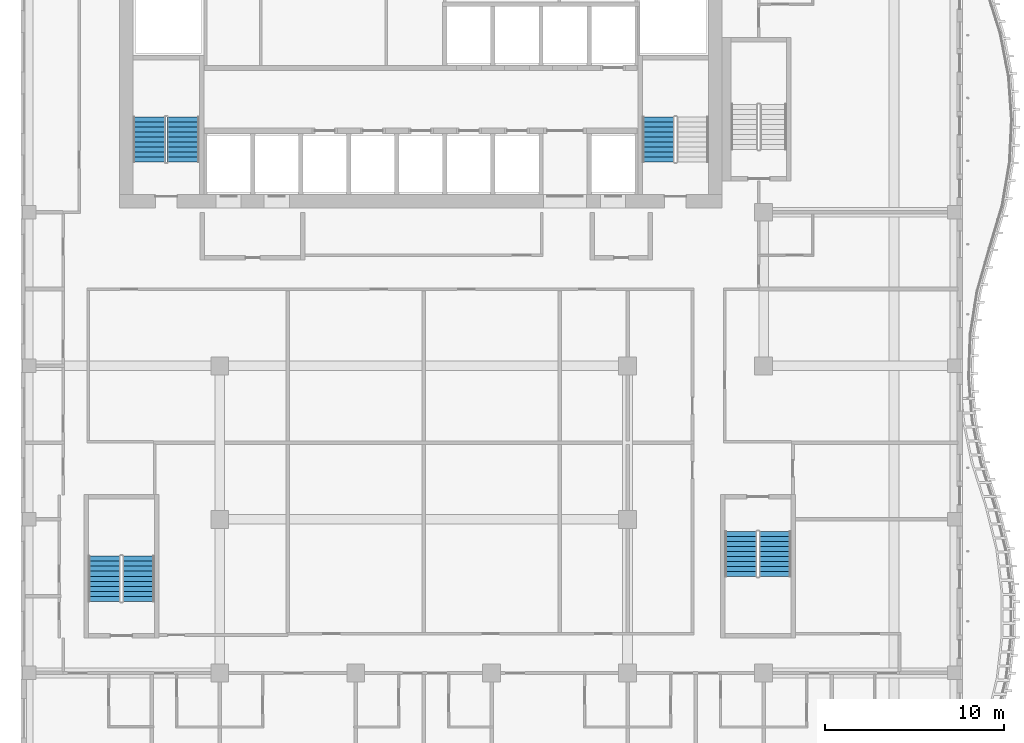
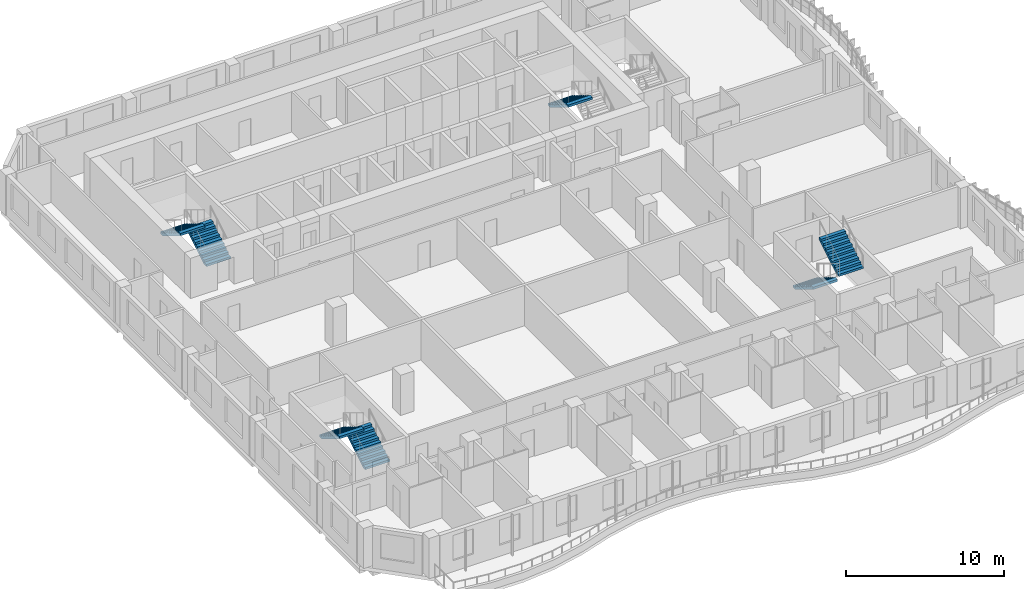
# One storey, part 11 of 21: 7 stair flights, 4 elements without a shape of their own.
"""IFC4 building model written with IfcOpenShell, lengths in metres."""

import ifcopenshell
import ifcopenshell.guid

model = None  # the IFC model being written
_history = None  # IfcOwnerHistory: only IFC2X3 demands one
_inside = {}  # id of a spatial element -> (the spatial element, [elements in it])
_under = {}  # id of a project, library or spatial element -> (it, [spatial elements below it])
_declared = {}  # id of a project -> (the project, [libraries it declares])
_typed = {}  # id of a type object -> (the type object, [elements of that type])
_made_of = {}  # id of a material, layer set ... -> (it, [elements and type objects made of it])


def new_model(schema):
    """Start an empty IFC model of exactly this schema.

    Asked for "IFC4X3", IfcOpenShell would pick the latest addendum, in which some entities
    have other attributes; the version numbers below select the first issue.
    IFC2X3 requires an IfcOwnerHistory on every rooted entity: one is made here for all.
    """
    global model, _history
    if schema == "IFC4X3":
        model = ifcopenshell.file(schema_version=(4, 3, 0, 0))
    else:
        model = ifcopenshell.file(schema=schema)
    _inside.clear()
    _under.clear()
    _declared.clear()
    _typed.clear()
    _made_of.clear()
    _history = None
    if model.schema == "IFC2X3":
        org = make("IfcOrganization", Name="unknown")
        user = make(
            "IfcPersonAndOrganization",
            ThePerson=make("IfcPerson", FamilyName="unknown"),
            TheOrganization=org,
        )
        app = make(
            "IfcApplication",
            ApplicationDeveloper=org,
            Version="unknown",
            ApplicationFullName="unknown",
            ApplicationIdentifier="unknown",
        )
        _history = make(
            "IfcOwnerHistory",
            OwningUser=user,
            OwningApplication=app,
            ChangeAction="ADDED",
            CreationDate=0,
        )
    return model


def make(cls, **values):
    """One entity of the class cls with the attributes given. An attribute that is None is left unset."""
    return model.create_entity(
        cls, **{name: value for name, value in values.items() if value is not None}
    )


def rooted(cls, **values):
    """An entity with a GlobalId (a new one), such as an element, a storey or a relation."""
    return make(cls, GlobalId=ifcopenshell.guid.new(), OwnerHistory=_history, **values)


def si_unit(unit_type, name, prefix=None):
    """IfcSIUnit, for example si_unit("LENGTHUNIT", "METRE", prefix="MILLI")."""
    return make("IfcSIUnit", UnitType=unit_type, Prefix=prefix, Name=name)


def assignment(units):
    """IfcUnitAssignment: the units of a project."""
    return None if units is None else make("IfcUnitAssignment", Units=units)


def point(xyz):
    """IfcCartesianPoint."""
    return None if xyz is None else make("IfcCartesianPoint", Coordinates=xyz)


def direction(xyz):
    """IfcDirection."""
    return None if xyz is None else make("IfcDirection", DirectionRatios=xyz)


def frame(location, z_axis=None, x_axis=None):
    """IfcAxis2Placement3D, a coordinate frame: its origin and axes. An axis left out is left unset."""
    return make(
        "IfcAxis2Placement3D",
        Location=point(location),
        Axis=direction(z_axis),
        RefDirection=direction(x_axis),
    )


def origin():
    """The frame at (0, 0, 0) with its axes left unset."""
    return frame((0.0, 0.0, 0.0))


def place(relative_to, where):
    """IfcLocalPlacement: puts the frame where relative to a parent placement (None: the world)."""
    return make(
        "IfcLocalPlacement", PlacementRelTo=relative_to, RelativePlacement=where
    )


def context(
    kind, dimensions, precision=None, world=None, true_north=None, identifier=None
):
    """IfcGeometricRepresentationContext, for example the 3D "Model" context."""
    return make(
        "IfcGeometricRepresentationContext",
        ContextIdentifier=identifier,
        ContextType=kind,
        CoordinateSpaceDimension=dimensions,
        Precision=precision,
        WorldCoordinateSystem=world,
        TrueNorth=true_north,
    )


def subcontext(parent, identifier, kind, view, scale=None):
    """IfcGeometricRepresentationSubContext, for example "Body" below "Model"."""
    return make(
        "IfcGeometricRepresentationSubContext",
        ContextIdentifier=identifier,
        ContextType=kind,
        ParentContext=parent,
        TargetScale=scale,
        TargetView=view,
    )


def project(units=None, contexts=None):
    """IfcProject with its units and contexts."""
    return rooted(
        "IfcProject",
        Name="project",
        RepresentationContexts=contexts,
        UnitsInContext=assignment(units),
    )


def spatial(cls, under=None, at=None, **own):
    """A site, building, storey or space (cls), placed at a placement, below another one or the project."""
    s = rooted(cls, ObjectPlacement=at, **own)
    if under is not None:
        _under.setdefault(under.id(), (under, []))[1].append(s)
    return s


def point_list(points):
    """IfcCartesianPointList2D or 3D."""
    cls = (
        "IfcCartesianPointList2D" if len(points[0]) == 2 else "IfcCartesianPointList3D"
    )
    return make(cls, CoordList=points)


def triangles(points, corners, closed=None, point_numbers=None):
    """IfcTriangulatedFaceSet: each triangle names its three corners, points numbered from 1."""
    return make(
        "IfcTriangulatedFaceSet",
        Coordinates=point_list(points),
        Closed=closed,
        CoordIndex=corners,
        PnIndex=point_numbers,
    )


def shape(context_of_items, identifier, shape_type, items):
    """IfcShapeRepresentation: the items that make up one representation, for example the "Body"."""
    return make(
        "IfcShapeRepresentation",
        ContextOfItems=context_of_items,
        RepresentationIdentifier=identifier,
        RepresentationType=shape_type,
        Items=items,
    )


def source(mapping_origin, context_of_items, identifier, shape_type, items):
    """IfcRepresentationMap: a shape defined once, which mapped items show again and again."""
    return make(
        "IfcRepresentationMap",
        MappingOrigin=mapping_origin,
        MappedRepresentation=shape(context_of_items, identifier, shape_type, items),
    )


def transform(
    local_origin,
    x_axis=None,
    y_axis=None,
    z_axis=None,
    scale=None,
    scale2=None,
    scale3=None,
    uniform=True,
):
    """IfcCartesianTransformationOperator3D, or its non-uniform kind. x_axis, y_axis, z_axis: its Axis1, 2, 3."""
    if uniform:
        return make(
            "IfcCartesianTransformationOperator3D",
            Axis1=direction(x_axis),
            Axis2=direction(y_axis),
            LocalOrigin=point(local_origin),
            Scale=scale,
            Axis3=direction(z_axis),
        )
    return make(
        "IfcCartesianTransformationOperator3DnonUniform",
        Axis1=direction(x_axis),
        Axis2=direction(y_axis),
        LocalOrigin=point(local_origin),
        Scale=scale,
        Axis3=direction(z_axis),
        Scale2=scale2,
        Scale3=scale3,
    )


def mapped(mapping_source, mapping_target):
    """IfcMappedItem: shows the shape of a source again, moved by a transform."""
    return make(
        "IfcMappedItem", MappingSource=mapping_source, MappingTarget=mapping_target
    )


def material(Name=None, Category=None):
    """IfcMaterial."""
    return make("IfcMaterial", Name=Name, Category=Category)


def made_of(thing, what):
    """Note that an element or type object is made of a material, layer set ...; save() writes the relation."""
    if what is not None:
        _made_of.setdefault(what.id(), (what, []))[1].append(thing)
    return thing


def type_object(cls, material=None, **own):
    """A type object (cls), such as IfcWallType, which elements share."""
    return made_of(rooted(cls, **own), material)


def element(
    cls,
    number,
    at=None,
    inside=None,
    cuts=None,
    type_object=None,
    material=None,
    context=None,
    identifier="Body",
    shape_type=None,
    held_by="IfcProductDefinitionShape",
    body=None,
    shapes=None,
    **own,
):
    """One element of the class cls, such as IfcWall. Its Tag is "e" and its number.

    at: its placement. inside: the storey or other place that contains it. cuts: it is an
    opening in that element (IfcRelVoidsElement). A single representation is given by context,
    identifier, shape_type and body (its items); several are given by shapes. held_by: the class
    of the entity that holds the representations. save() writes the other relations.
    """
    e = rooted(cls, Tag="e%d" % number, ObjectPlacement=at, **own)
    if body is not None:
        shapes = [shape(context, identifier, shape_type, body)]
    if shapes is not None:
        e.Representation = make(held_by, Representations=shapes)
    if inside is not None:
        _inside.setdefault(inside.id(), (inside, []))[1].append(e)
    if cuts is not None:
        rooted(
            "IfcRelVoidsElement", RelatingBuildingElement=cuts, RelatedOpeningElement=e
        )
    if type_object is not None:
        _typed.setdefault(type_object.id(), (type_object, []))[1].append(e)
    return made_of(e, material)


def aggregate(whole, parts):
    """IfcRelAggregates: a whole, such as a stair, and the parts it consists of."""
    return rooted("IfcRelAggregates", RelatingObject=whole, RelatedObjects=parts)


def save(model, path):
    """Write the relations noted so far, then the file.

    IfcRelAggregates (storeys below a building ...), IfcRelContainedInSpatialStructure (elements
    in a storey), IfcRelDefinesByType, IfcRelAssociatesMaterial and IfcRelDeclares: one each for
    every whole, place, type object, material and project.
    """
    for whole, parts in _under.values():
        aggregate(whole, parts)
    for where, things in _inside.values():
        rooted(
            "IfcRelContainedInSpatialStructure",
            RelatedElements=things,
            RelatingStructure=where,
        )
    for kind, things in _typed.values():
        rooted("IfcRelDefinesByType", RelatedObjects=things, RelatingType=kind)
    for what, things in _made_of.values():
        rooted("IfcRelAssociatesMaterial", RelatedObjects=things, RelatingMaterial=what)
    for by, libraries in _declared.values():
        rooted("IfcRelDeclares", RelatingContext=by, RelatedDefinitions=libraries)
    model.write(path)


model = new_model("IFC4")

# Units and contexts
model_context = context("Model", 3, precision=1e-05, world=origin(), true_north=direction((0.0, 1.0)))
body_context = subcontext(model_context, "Body", "Model", "MODEL_VIEW")
ifc_project = project(units=[si_unit("LENGTHUNIT", "METRE"), si_unit("AREAUNIT", "SQUARE_METRE"), si_unit("VOLUMEUNIT", "CUBIC_METRE"), si_unit("PLANEANGLEUNIT", "RADIAN"), si_unit("MASSUNIT", "GRAM", prefix="KILO")], contexts=[model_context])

# Site, building, storey
site_placement = place(None, origin())
site = spatial("IfcSite", under=ifc_project, at=site_placement, CompositionType="ELEMENT")
building_placement = place(site_placement, origin())
building = spatial("IfcBuilding", under=site, at=building_placement, Name="Kilnfold Tower and Market Hall", CompositionType="ELEMENT")
storey_placement = place(building_placement, frame((0.0, 0.0, 216.89990234375)))
storey = spatial("IfcBuildingStorey", under=building, at=storey_placement, Name="L53", CompositionType="ELEMENT", Elevation=216.89990234375)

# Stair, stair flights
ifc_material_1 = material(Name="Concrete C40/50", Category="concrete")
stair_type = type_object("IfcStairType", Name="CORE STAIR 1800", PredefinedType="HALF_TURN_STAIR", material=ifc_material_1)
stair_1_placement = place(storey_placement, origin())
stair_1 = element("IfcStair", 1, at=stair_1_placement, inside=storey, type_object=stair_type, Name="L53 ST1", PredefinedType="HALF_TURN_STAIR")
ifc_material_2 = material(Name="Concrete C40/50", Category="concrete")
stair_flight_type = type_object("IfcStairFlightType", Name="CORE STAIR FLIGHT 1800", PredefinedType="STRAIGHT", material=ifc_material_2)
shared_shape = source(origin(), body_context, "Body", "Tessellation", [
    triangles([(0.0, 0.89990234375, 0.0), (0.0, 0.78759765625, 0.0), (0.0, 0.675048828125, 0.0), (0.0, 0.5625, 0.0), (0.0, 0.449951171875, 0.0), (0.0, 0.33740234375, 0.0), (0.0, 0.22509765625, 0.0), (0.0, 0.112548828125, 0.0), (0.0, 0.0, 0.0), (0.0, -0.112548828125, 0.0), (0.0, -0.22509765625, 0.0), (0.0, -0.33740234375, 0.0), (0.0, -0.449951171875, 0.0), (0.0, -0.5625, 0.0), (0.0, -0.675048828125, 0.0), (0.0, -0.78759765625, 0.0), (0.0, -0.89990234375, 0.0), (0.0, 0.89990234375, 0.169921875), (0.0, 0.78759765625, 0.169921875), (0.0, 0.675048828125, 0.169921875), (0.0, 0.5625, 0.169921875), (0.0, 0.449951171875, 0.169921875), (0.0, 0.33740234375, 0.169921875), (0.0, 0.22509765625, 0.169921875), (0.0, 0.112548828125, 0.169921875), (0.0, 0.0, 0.169921875), (0.0, -0.112548828125, 0.169921875), (0.0, -0.22509765625, 0.169921875), (0.0, -0.33740234375, 0.169921875), (0.0, -0.449951171875, 0.169921875), (0.0, -0.5625, 0.169921875), (0.0, -0.675048828125, 0.169921875), (0.0, -0.78759765625, 0.169921875), (0.0, -0.89990234375, 0.169921875), (0.280029296875, 0.89990234375, 0.169921875), (0.280029296875, 0.78759765625, 0.169921875), (0.280029296875, 0.675048828125, 0.169921875), (0.280029296875, 0.5625, 0.169921875), (0.280029296875, 0.449951171875, 0.169921875), (0.280029296875, 0.33740234375, 0.169921875), (0.280029296875, 0.22509765625, 0.169921875), (0.280029296875, 0.112548828125, 0.169921875), (0.280029296875, 0.0, 0.169921875), (0.280029296875, -0.112548828125, 0.169921875), (0.280029296875, -0.22509765625, 0.169921875), (0.280029296875, -0.33740234375, 0.169921875), (0.280029296875, -0.449951171875, 0.169921875), (0.280029296875, -0.5625, 0.169921875), (0.280029296875, -0.675048828125, 0.169921875), (0.280029296875, -0.78759765625, 0.169921875), (0.280029296875, -0.89990234375, 0.169921875), (0.280029296875, 0.89990234375, 0.340087890625), (0.280029296875, 0.78759765625, 0.340087890625), (0.280029296875, 0.675048828125, 0.340087890625), (0.280029296875, 0.5625, 0.340087890625), (0.280029296875, 0.449951171875, 0.340087890625), (0.280029296875, 0.33740234375, 0.340087890625), (0.280029296875, 0.22509765625, 0.340087890625), (0.280029296875, 0.112548828125, 0.340087890625), (0.280029296875, 0.0, 0.340087890625), (0.280029296875, -0.112548828125, 0.340087890625), (0.280029296875, -0.22509765625, 0.340087890625), (0.280029296875, -0.33740234375, 0.340087890625), (0.280029296875, -0.449951171875, 0.340087890625), (0.280029296875, -0.5625, 0.340087890625), (0.280029296875, -0.675048828125, 0.340087890625), (0.280029296875, -0.78759765625, 0.340087890625), (0.280029296875, -0.89990234375, 0.340087890625), (0.56005859375, 0.89990234375, 0.340087890625), (0.56005859375, 0.78759765625, 0.340087890625), (0.56005859375, 0.675048828125, 0.340087890625), (0.56005859375, 0.5625, 0.340087890625), (0.56005859375, 0.449951171875, 0.340087890625), (0.56005859375, 0.33740234375, 0.340087890625), (0.56005859375, 0.22509765625, 0.340087890625), (0.56005859375, 0.112548828125, 0.340087890625), (0.56005859375, 0.0, 0.340087890625), (0.56005859375, -0.112548828125, 0.340087890625), (0.56005859375, -0.22509765625, 0.340087890625), (0.56005859375, -0.33740234375, 0.340087890625), (0.56005859375, -0.449951171875, 0.340087890625), (0.56005859375, -0.5625, 0.340087890625), (0.56005859375, -0.675048828125, 0.340087890625), (0.56005859375, -0.78759765625, 0.340087890625), (0.56005859375, -0.89990234375, 0.340087890625), (0.56005859375, 0.89990234375, 0.510009765625), (0.56005859375, 0.78759765625, 0.510009765625), (0.56005859375, 0.675048828125, 0.510009765625), (0.56005859375, 0.5625, 0.510009765625), (0.56005859375, 0.449951171875, 0.510009765625), (0.56005859375, 0.33740234375, 0.510009765625), (0.56005859375, 0.22509765625, 0.510009765625), (0.56005859375, 0.112548828125, 0.510009765625), (0.56005859375, 0.0, 0.510009765625), (0.56005859375, -0.112548828125, 0.510009765625), (0.56005859375, -0.22509765625, 0.510009765625), (0.56005859375, -0.33740234375, 0.510009765625), (0.56005859375, -0.449951171875, 0.510009765625), (0.56005859375, -0.5625, 0.510009765625), (0.56005859375, -0.675048828125, 0.510009765625), (0.56005859375, -0.78759765625, 0.510009765625), (0.56005859375, -0.89990234375, 0.510009765625), (0.840087890625, 0.89990234375, 0.510009765625), (0.840087890625, 0.78759765625, 0.510009765625), (0.840087890625, 0.675048828125, 0.510009765625), (0.840087890625, 0.5625, 0.510009765625), (0.840087890625, 0.449951171875, 0.510009765625), (0.840087890625, 0.33740234375, 0.510009765625), (0.840087890625, 0.22509765625, 0.510009765625), (0.840087890625, 0.112548828125, 0.510009765625), (0.840087890625, 0.0, 0.510009765625), (0.840087890625, -0.112548828125, 0.510009765625), (0.840087890625, -0.22509765625, 0.510009765625), (0.840087890625, -0.33740234375, 0.510009765625), (0.840087890625, -0.449951171875, 0.510009765625), (0.840087890625, -0.5625, 0.510009765625), (0.840087890625, -0.675048828125, 0.510009765625), (0.840087890625, -0.78759765625, 0.510009765625), (0.840087890625, -0.89990234375, 0.510009765625), (0.840087890625, 0.89990234375, 0.679931640625), (0.840087890625, 0.78759765625, 0.679931640625), (0.840087890625, 0.675048828125, 0.679931640625), (0.840087890625, 0.5625, 0.679931640625), (0.840087890625, 0.449951171875, 0.679931640625), (0.840087890625, 0.33740234375, 0.679931640625), (0.840087890625, 0.22509765625, 0.679931640625), (0.840087890625, 0.112548828125, 0.679931640625), (0.840087890625, 0.0, 0.679931640625), (0.840087890625, -0.112548828125, 0.679931640625), (0.840087890625, -0.22509765625, 0.679931640625), (0.840087890625, -0.33740234375, 0.679931640625), (0.840087890625, -0.449951171875, 0.679931640625), (0.840087890625, -0.5625, 0.679931640625), (0.840087890625, -0.675048828125, 0.679931640625), (0.840087890625, -0.78759765625, 0.679931640625), (0.840087890625, -0.89990234375, 0.679931640625), (1.1201171875, 0.89990234375, 0.679931640625), (1.1201171875, 0.78759765625, 0.679931640625), (1.1201171875, 0.675048828125, 0.679931640625), (1.1201171875, 0.5625, 0.679931640625), (1.1201171875, 0.449951171875, 0.679931640625), (1.1201171875, 0.33740234375, 0.679931640625), (1.1201171875, 0.22509765625, 0.679931640625), (1.1201171875, 0.112548828125, 0.679931640625), (1.1201171875, 0.0, 0.679931640625), (1.1201171875, -0.112548828125, 0.679931640625), (1.1201171875, -0.22509765625, 0.679931640625), (1.1201171875, -0.33740234375, 0.679931640625), (1.1201171875, -0.449951171875, 0.679931640625), (1.1201171875, -0.5625, 0.679931640625), (1.1201171875, -0.675048828125, 0.679931640625), (1.1201171875, -0.78759765625, 0.679931640625), (1.1201171875, -0.89990234375, 0.679931640625), (1.1201171875, 0.89990234375, 0.85009765625), (1.1201171875, 0.78759765625, 0.85009765625), (1.1201171875, 0.675048828125, 0.85009765625), (1.1201171875, 0.5625, 0.85009765625), (1.1201171875, 0.449951171875, 0.85009765625), (1.1201171875, 0.33740234375, 0.85009765625), (1.1201171875, 0.22509765625, 0.85009765625), (1.1201171875, 0.112548828125, 0.85009765625), (1.1201171875, 0.0, 0.85009765625), (1.1201171875, -0.112548828125, 0.85009765625), (1.1201171875, -0.22509765625, 0.85009765625), (1.1201171875, -0.33740234375, 0.85009765625), (1.1201171875, -0.449951171875, 0.85009765625), (1.1201171875, -0.5625, 0.85009765625), (1.1201171875, -0.675048828125, 0.85009765625), (1.1201171875, -0.78759765625, 0.85009765625), (1.1201171875, -0.89990234375, 0.85009765625), (1.39990234375, 0.89990234375, 0.85009765625), (1.39990234375, 0.78759765625, 0.85009765625), (1.39990234375, 0.675048828125, 0.85009765625), (1.39990234375, 0.5625, 0.85009765625), (1.39990234375, 0.449951171875, 0.85009765625), (1.39990234375, 0.33740234375, 0.85009765625), (1.39990234375, 0.22509765625, 0.85009765625), (1.39990234375, 0.112548828125, 0.85009765625), (1.39990234375, 0.0, 0.85009765625), (1.39990234375, -0.112548828125, 0.85009765625), (1.39990234375, -0.22509765625, 0.85009765625), (1.39990234375, -0.33740234375, 0.85009765625), (1.39990234375, -0.449951171875, 0.85009765625), (1.39990234375, -0.5625, 0.85009765625), (1.39990234375, -0.675048828125, 0.85009765625), (1.39990234375, -0.78759765625, 0.85009765625), (1.39990234375, -0.89990234375, 0.85009765625), (1.39990234375, 0.89990234375, 1.02001953125), (1.39990234375, 0.78759765625, 1.02001953125), (1.39990234375, 0.675048828125, 1.02001953125), (1.39990234375, 0.5625, 1.02001953125), (1.39990234375, 0.449951171875, 1.02001953125), (1.39990234375, 0.33740234375, 1.02001953125), (1.39990234375, 0.22509765625, 1.02001953125), (1.39990234375, 0.112548828125, 1.02001953125), (1.39990234375, 0.0, 1.02001953125), (1.39990234375, -0.112548828125, 1.02001953125), (1.39990234375, -0.22509765625, 1.02001953125), (1.39990234375, -0.33740234375, 1.02001953125), (1.39990234375, -0.449951171875, 1.02001953125), (1.39990234375, -0.5625, 1.02001953125), (1.39990234375, -0.675048828125, 1.02001953125), (1.39990234375, -0.78759765625, 1.02001953125), (1.39990234375, -0.89990234375, 1.02001953125), (1.679931640625, 0.89990234375, 1.02001953125), (1.679931640625, 0.78759765625, 1.02001953125), (1.679931640625, 0.675048828125, 1.02001953125), (1.679931640625, 0.5625, 1.02001953125), (1.679931640625, 0.449951171875, 1.02001953125), (1.679931640625, 0.33740234375, 1.02001953125), (1.679931640625, 0.22509765625, 1.02001953125), (1.679931640625, 0.112548828125, 1.02001953125), (1.679931640625, 0.0, 1.02001953125), (1.679931640625, -0.112548828125, 1.02001953125), (1.679931640625, -0.22509765625, 1.02001953125), (1.679931640625, -0.33740234375, 1.02001953125), (1.679931640625, -0.449951171875, 1.02001953125), (1.679931640625, -0.5625, 1.02001953125), (1.679931640625, -0.675048828125, 1.02001953125), (1.679931640625, -0.78759765625, 1.02001953125), (1.679931640625, -0.89990234375, 1.02001953125), (1.679931640625, 0.89990234375, 1.18994140625), (1.679931640625, 0.78759765625, 1.18994140625), (1.679931640625, 0.675048828125, 1.18994140625), (1.679931640625, 0.5625, 1.18994140625), (1.679931640625, 0.449951171875, 1.18994140625), (1.679931640625, 0.33740234375, 1.18994140625), (1.679931640625, 0.22509765625, 1.18994140625), (1.679931640625, 0.112548828125, 1.18994140625), (1.679931640625, 0.0, 1.18994140625), (1.679931640625, -0.112548828125, 1.18994140625), (1.679931640625, -0.22509765625, 1.18994140625), (1.679931640625, -0.33740234375, 1.18994140625), (1.679931640625, -0.449951171875, 1.18994140625), (1.679931640625, -0.5625, 1.18994140625), (1.679931640625, -0.675048828125, 1.18994140625), (1.679931640625, -0.78759765625, 1.18994140625), (1.679931640625, -0.89990234375, 1.18994140625), (1.9599609375, 0.89990234375, 1.18994140625), (1.9599609375, 0.78759765625, 1.18994140625), (1.9599609375, 0.675048828125, 1.18994140625), (1.9599609375, 0.5625, 1.18994140625), (1.9599609375, 0.449951171875, 1.18994140625), (1.9599609375, 0.33740234375, 1.18994140625), (1.9599609375, 0.22509765625, 1.18994140625), (1.9599609375, 0.112548828125, 1.18994140625), (1.9599609375, 0.0, 1.18994140625), (1.9599609375, -0.112548828125, 1.18994140625), (1.9599609375, -0.22509765625, 1.18994140625), (1.9599609375, -0.33740234375, 1.18994140625), (1.9599609375, -0.449951171875, 1.18994140625), (1.9599609375, -0.5625, 1.18994140625), (1.9599609375, -0.675048828125, 1.18994140625), (1.9599609375, -0.78759765625, 1.18994140625), (1.9599609375, -0.89990234375, 1.18994140625), (1.9599609375, 0.89990234375, 1.360107421875), (1.9599609375, 0.78759765625, 1.360107421875), (1.9599609375, 0.675048828125, 1.360107421875), (1.9599609375, 0.5625, 1.360107421875), (1.9599609375, 0.449951171875, 1.360107421875), (1.9599609375, 0.33740234375, 1.360107421875), (1.9599609375, 0.22509765625, 1.360107421875), (1.9599609375, 0.112548828125, 1.360107421875), (1.9599609375, 0.0, 1.360107421875), (1.9599609375, -0.112548828125, 1.360107421875), (1.9599609375, -0.22509765625, 1.360107421875), (1.9599609375, -0.33740234375, 1.360107421875), (1.9599609375, -0.449951171875, 1.360107421875), (1.9599609375, -0.5625, 1.360107421875), (1.9599609375, -0.675048828125, 1.360107421875), (1.9599609375, -0.78759765625, 1.360107421875), (1.9599609375, -0.89990234375, 1.360107421875), (2.239990234375, 0.89990234375, 1.360107421875), (2.239990234375, 0.78759765625, 1.360107421875), (2.239990234375, 0.675048828125, 1.360107421875), (2.239990234375, 0.5625, 1.360107421875), (2.239990234375, 0.449951171875, 1.360107421875), (2.239990234375, 0.33740234375, 1.360107421875), (2.239990234375, 0.22509765625, 1.360107421875), (2.239990234375, 0.112548828125, 1.360107421875), (2.239990234375, 0.0, 1.360107421875), (2.239990234375, -0.112548828125, 1.360107421875), (2.239990234375, -0.22509765625, 1.360107421875), (2.239990234375, -0.33740234375, 1.360107421875), (2.239990234375, -0.449951171875, 1.360107421875), (2.239990234375, -0.5625, 1.360107421875), (2.239990234375, -0.675048828125, 1.360107421875), (2.239990234375, -0.78759765625, 1.360107421875), (2.239990234375, -0.89990234375, 1.360107421875), (2.239990234375, 0.89990234375, 1.530029296875), (2.239990234375, 0.78759765625, 1.530029296875), (2.239990234375, 0.675048828125, 1.530029296875), (2.239990234375, 0.5625, 1.530029296875), (2.239990234375, 0.449951171875, 1.530029296875), (2.239990234375, 0.33740234375, 1.530029296875), (2.239990234375, 0.22509765625, 1.530029296875), (2.239990234375, 0.112548828125, 1.530029296875), (2.239990234375, 0.0, 1.530029296875), (2.239990234375, -0.112548828125, 1.530029296875), (2.239990234375, -0.22509765625, 1.530029296875), (2.239990234375, -0.33740234375, 1.530029296875), (2.239990234375, -0.449951171875, 1.530029296875), (2.239990234375, -0.5625, 1.530029296875), (2.239990234375, -0.675048828125, 1.530029296875), (2.239990234375, -0.78759765625, 1.530029296875), (2.239990234375, -0.89990234375, 1.530029296875), (2.52001953125, 0.89990234375, 1.530029296875), (2.52001953125, 0.78759765625, 1.530029296875), (2.52001953125, 0.675048828125, 1.530029296875), (2.52001953125, 0.5625, 1.530029296875), (2.52001953125, 0.449951171875, 1.530029296875), (2.52001953125, 0.33740234375, 1.530029296875), (2.52001953125, 0.22509765625, 1.530029296875), (2.52001953125, 0.112548828125, 1.530029296875), (2.52001953125, 0.0, 1.530029296875), (2.52001953125, -0.112548828125, 1.530029296875), (2.52001953125, -0.22509765625, 1.530029296875), (2.52001953125, -0.33740234375, 1.530029296875), (2.52001953125, -0.449951171875, 1.530029296875), (2.52001953125, -0.5625, 1.530029296875), (2.52001953125, -0.675048828125, 1.530029296875), (2.52001953125, -0.78759765625, 1.530029296875), (2.52001953125, -0.89990234375, 1.530029296875), (2.52001953125, 0.89990234375, 1.354736328125), (2.52001953125, 0.78759765625, 1.354736328125), (2.52001953125, 0.675048828125, 1.354736328125), (2.52001953125, 0.5625, 1.354736328125), (2.52001953125, 0.449951171875, 1.354736328125), (2.52001953125, 0.33740234375, 1.354736328125), (2.52001953125, 0.22509765625, 1.354736328125), (2.52001953125, 0.112548828125, 1.354736328125), (2.52001953125, 0.0, 1.354736328125), (2.52001953125, -0.112548828125, 1.354736328125), (2.52001953125, -0.22509765625, 1.354736328125), (2.52001953125, -0.33740234375, 1.354736328125), (2.52001953125, -0.449951171875, 1.354736328125), (2.52001953125, -0.5625, 1.354736328125), (2.52001953125, -0.675048828125, 1.354736328125), (2.52001953125, -0.78759765625, 1.354736328125), (2.52001953125, -0.89990234375, 1.354736328125), (0.288818359375, 0.89990234375, 0.0), (0.288818359375, 0.78759765625, 0.0), (0.288818359375, 0.675048828125, 0.0), (0.288818359375, 0.5625, 0.0), (0.288818359375, 0.449951171875, 0.0), (0.288818359375, 0.33740234375, 0.0), (0.288818359375, 0.22509765625, 0.0), (0.288818359375, 0.112548828125, 0.0), (0.288818359375, 0.0, 0.0), (0.288818359375, -0.112548828125, 0.0), (0.288818359375, -0.22509765625, 0.0), (0.288818359375, -0.33740234375, 0.0), (0.288818359375, -0.449951171875, 0.0), (0.288818359375, -0.5625, 0.0), (0.288818359375, -0.675048828125, 0.0), (0.288818359375, -0.78759765625, 0.0), (0.288818359375, -0.89990234375, 0.0)], [[1, 324, 341], [17, 357, 340], [324, 290, 307], [340, 323, 306], [324, 273, 290], [340, 306, 289], [324, 256, 273], [340, 289, 272], [324, 239, 256], [340, 272, 255], [239, 205, 222], [255, 238, 221], [324, 205, 239], [340, 255, 221], [205, 171, 188], [221, 204, 187], [324, 171, 205], [340, 221, 187], [171, 137, 154], [187, 170, 153], [324, 137, 171], [340, 187, 153], [137, 103, 120], [153, 136, 119], [324, 103, 137], [340, 153, 119], [103, 69, 86], [119, 102, 85], [324, 69, 103], [340, 119, 85], [69, 35, 52], [85, 68, 51], [324, 35, 69], [340, 85, 51], [1, 35, 324], [17, 340, 51], [35, 1, 18], [51, 34, 17], [1, 19, 18], [1, 2, 19], [2, 20, 19], [2, 3, 20], [3, 21, 20], [3, 4, 21], [4, 22, 21], [4, 5, 22], [5, 23, 22], [5, 6, 23], [6, 24, 23], [6, 7, 24], [7, 25, 24], [7, 8, 25], [8, 26, 25], [8, 9, 26], [9, 27, 26], [9, 10, 27], [10, 28, 27], [10, 11, 28], [11, 29, 28], [11, 12, 29], [12, 30, 29], [12, 13, 30], [13, 31, 30], [13, 14, 31], [14, 32, 31], [14, 15, 32], [15, 33, 32], [15, 16, 33], [16, 34, 33], [16, 17, 34], [18, 36, 35], [18, 19, 36], [19, 37, 36], [19, 20, 37], [20, 38, 37], [20, 21, 38], [21, 39, 38], [21, 22, 39], [22, 40, 39], [22, 23, 40], [23, 41, 40], [23, 24, 41], [24, 42, 41], [24, 25, 42], [25, 43, 42], [25, 26, 43], [26, 44, 43], [26, 27, 44], [27, 45, 44], [27, 28, 45], [28, 46, 45], [28, 29, 46], [29, 47, 46], [29, 30, 47], [30, 48, 47], [30, 31, 48], [31, 49, 48], [31, 32, 49], [32, 50, 49], [32, 33, 50], [33, 51, 50], [33, 34, 51], [35, 53, 52], [35, 36, 53], [36, 54, 53], [36, 37, 54], [37, 55, 54], [37, 38, 55], [38, 56, 55], [38, 39, 56], [39, 57, 56], [39, 40, 57], [40, 58, 57], [40, 41, 58], [41, 59, 58], [41, 42, 59], [42, 60, 59], [42, 43, 60], [43, 61, 60], [43, 44, 61], [44, 62, 61], [44, 45, 62], [45, 63, 62], [45, 46, 63], [46, 64, 63], [46, 47, 64], [47, 65, 64], [47, 48, 65], [48, 66, 65], [48, 49, 66], [49, 67, 66], [49, 50, 67], [50, 68, 67], [50, 51, 68], [52, 70, 69], [52, 53, 70], [53, 71, 70], [53, 54, 71], [54, 72, 71], [54, 55, 72], [55, 73, 72], [55, 56, 73], [56, 74, 73], [56, 57, 74], [57, 75, 74], [57, 58, 75], [58, 76, 75], [58, 59, 76], [59, 77, 76], [59, 60, 77], [60, 78, 77], [60, 61, 78], [61, 79, 78], [61, 62, 79], [62, 80, 79], [62, 63, 80], [63, 81, 80], [63, 64, 81], [64, 82, 81], [64, 65, 82], [65, 83, 82], [65, 66, 83], [66, 84, 83], [66, 67, 84], [67, 85, 84], [67, 68, 85], [69, 87, 86], [69, 70, 87], [70, 88, 87], [70, 71, 88], [71, 89, 88], [71, 72, 89], [72, 90, 89], [72, 73, 90], [73, 91, 90], [73, 74, 91], [74, 92, 91], [74, 75, 92], [75, 93, 92], [75, 76, 93], [76, 94, 93], [76, 77, 94], [77, 95, 94], [77, 78, 95], [78, 96, 95], [78, 79, 96], [79, 97, 96], [79, 80, 97], [80, 98, 97], [80, 81, 98], [81, 99, 98], [81, 82, 99], [82, 100, 99], [82, 83, 100], [83, 101, 100], [83, 84, 101], [84, 102, 101], [84, 85, 102], [86, 104, 103], [86, 87, 104], [87, 105, 104], [87, 88, 105], [88, 106, 105], [88, 89, 106], [89, 107, 106], [89, 90, 107], [90, 108, 107], [90, 91, 108], [91, 109, 108], [91, 92, 109], [92, 110, 109], [92, 93, 110], [93, 111, 110], [93, 94, 111], [94, 112, 111], [94, 95, 112], [95, 113, 112], [95, 96, 113], [96, 114, 113], [96, 97, 114], [97, 115, 114], [97, 98, 115], [98, 116, 115], [98, 99, 116], [99, 117, 116], [99, 100, 117], [100, 118, 117], [100, 101, 118], [101, 119, 118], [101, 102, 119], [103, 121, 120], [103, 104, 121], [104, 122, 121], [104, 105, 122], [105, 123, 122], [105, 106, 123], [106, 124, 123], [106, 107, 124], [107, 125, 124], [107, 108, 125], [108, 126, 125], [108, 109, 126], [109, 127, 126], [109, 110, 127], [110, 128, 127], [110, 111, 128], [111, 129, 128], [111, 112, 129], [112, 130, 129], [112, 113, 130], [113, 131, 130], [113, 114, 131], [114, 132, 131], [114, 115, 132], [115, 133, 132], [115, 116, 133], [116, 134, 133], [116, 117, 134], [117, 135, 134], [117, 118, 135], [118, 136, 135], [118, 119, 136], [120, 138, 137], [120, 121, 138], [121, 139, 138], [121, 122, 139], [122, 140, 139], [122, 123, 140], [123, 141, 140], [123, 124, 141], [124, 142, 141], [124, 125, 142], [125, 143, 142], [125, 126, 143], [126, 144, 143], [126, 127, 144], [127, 145, 144], [127, 128, 145], [128, 146, 145], [128, 129, 146], [129, 147, 146], [129, 130, 147], [130, 148, 147], [130, 131, 148], [131, 149, 148], [131, 132, 149], [132, 150, 149], [132, 133, 150], [133, 151, 150], [133, 134, 151], [134, 152, 151], [134, 135, 152], [135, 153, 152], [135, 136, 153], [137, 155, 154], [137, 138, 155], [138, 156, 155], [138, 139, 156], [139, 157, 156], [139, 140, 157], [140, 158, 157], [140, 141, 158], [141, 159, 158], [141, 142, 159], [142, 160, 159], [142, 143, 160], [143, 161, 160], [143, 144, 161], [144, 162, 161], [144, 145, 162], [145, 163, 162], [145, 146, 163], [146, 164, 163], [146, 147, 164], [147, 165, 164], [147, 148, 165], [148, 166, 165], [148, 149, 166], [149, 167, 166], [149, 150, 167], [150, 168, 167], [150, 151, 168], [151, 169, 168], [151, 152, 169], [152, 170, 169], [152, 153, 170], [154, 172, 171], [154, 155, 172], [155, 173, 172], [155, 156, 173], [156, 174, 173], [156, 157, 174], [157, 175, 174], [157, 158, 175], [158, 176, 175], [158, 159, 176], [159, 177, 176], [159, 160, 177], [160, 178, 177], [160, 161, 178], [161, 179, 178], [161, 162, 179], [162, 180, 179], [162, 163, 180], [163, 181, 180], [163, 164, 181], [164, 182, 181], [164, 165, 182], [165, 183, 182], [165, 166, 183], [166, 184, 183], [166, 167, 184], [167, 185, 184], [167, 168, 185], [168, 186, 185], [168, 169, 186], [169, 187, 186], [169, 170, 187], [171, 189, 188], [171, 172, 189], [172, 190, 189], [172, 173, 190], [173, 191, 190], [173, 174, 191], [174, 192, 191], [174, 175, 192], [175, 193, 192], [175, 176, 193], [176, 194, 193], [176, 177, 194], [177, 195, 194], [177, 178, 195], [178, 196, 195], [178, 179, 196], [179, 197, 196], [179, 180, 197], [180, 198, 197], [180, 181, 198], [181, 199, 198], [181, 182, 199], [182, 200, 199], [182, 183, 200], [183, 201, 200], [183, 184, 201], [184, 202, 201], [184, 185, 202], [185, 203, 202], [185, 186, 203], [186, 204, 203], [186, 187, 204], [188, 206, 205], [188, 189, 206], [189, 207, 206], [189, 190, 207], [190, 208, 207], [190, 191, 208], [191, 209, 208], [191, 192, 209], [192, 210, 209], [192, 193, 210], [193, 211, 210], [193, 194, 211], [194, 212, 211], [194, 195, 212], [195, 213, 212], [195, 196, 213], [196, 214, 213], [196, 197, 214], [197, 215, 214], [197, 198, 215], [198, 216, 215], [198, 199, 216], [199, 217, 216], [199, 200, 217], [200, 218, 217], [200, 201, 218], [201, 219, 218], [201, 202, 219], [202, 220, 219], [202, 203, 220], [203, 221, 220], [203, 204, 221], [205, 223, 222], [205, 206, 223], [206, 224, 223], [206, 207, 224], [207, 225, 224], [207, 208, 225], [208, 226, 225], [208, 209, 226], [209, 227, 226], [209, 210, 227], [210, 228, 227], [210, 211, 228], [211, 229, 228], [211, 212, 229], [212, 230, 229], [212, 213, 230], [213, 231, 230], [213, 214, 231], [214, 232, 231], [214, 215, 232], [215, 233, 232], [215, 216, 233], [216, 234, 233], [216, 217, 234], [217, 235, 234], [217, 218, 235], [218, 236, 235], [218, 219, 236], [219, 237, 236], [219, 220, 237], [220, 238, 237], [220, 221, 238], [222, 240, 239], [222, 223, 240], [223, 241, 240], [223, 224, 241], [224, 242, 241], [224, 225, 242], [225, 243, 242], [225, 226, 243], [226, 244, 243], [226, 227, 244], [227, 245, 244], [227, 228, 245], [228, 246, 245], [228, 229, 246], [229, 247, 246], [229, 230, 247], [230, 248, 247], [230, 231, 248], [231, 249, 248], [231, 232, 249], [232, 250, 249], [232, 233, 250], [233, 251, 250], [233, 234, 251], [234, 252, 251], [234, 235, 252], [235, 253, 252], [235, 236, 253], [236, 254, 253], [236, 237, 254], [237, 255, 254], [237, 238, 255], [239, 257, 256], [239, 240, 257], [240, 258, 257], [240, 241, 258], [241, 259, 258], [241, 242, 259], [242, 260, 259], [242, 243, 260], [243, 261, 260], [243, 244, 261], [244, 262, 261], [244, 245, 262], [245, 263, 262], [245, 246, 263], [246, 264, 263], [246, 247, 264], [247, 265, 264], [247, 248, 265], [248, 266, 265], [248, 249, 266], [249, 267, 266], [249, 250, 267], [250, 268, 267], [250, 251, 268], [251, 269, 268], [251, 252, 269], [252, 270, 269], [252, 253, 270], [253, 271, 270], [253, 254, 271], [254, 272, 271], [254, 255, 272], [256, 274, 273], [256, 257, 274], [257, 275, 274], [257, 258, 275], [258, 276, 275], [258, 259, 276], [259, 277, 276], [259, 260, 277], [260, 278, 277], [260, 261, 278], [261, 279, 278], [261, 262, 279], [262, 280, 279], [262, 263, 280], [263, 281, 280], [263, 264, 281], [264, 282, 281], [264, 265, 282], [265, 283, 282], [265, 266, 283], [266, 284, 283], [266, 267, 284], [267, 285, 284], [267, 268, 285], [268, 286, 285], [268, 269, 286], [269, 287, 286], [269, 270, 287], [270, 288, 287], [270, 271, 288], [271, 289, 288], [271, 272, 289], [273, 291, 290], [273, 274, 291], [274, 292, 291], [274, 275, 292], [275, 293, 292], [275, 276, 293], [276, 294, 293], [276, 277, 294], [277, 295, 294], [277, 278, 295], [278, 296, 295], [278, 279, 296], [279, 297, 296], [279, 280, 297], [280, 298, 297], [280, 281, 298], [281, 299, 298], [281, 282, 299], [282, 300, 299], [282, 283, 300], [283, 301, 300], [283, 284, 301], [284, 302, 301], [284, 285, 302], [285, 303, 302], [285, 286, 303], [286, 304, 303], [286, 287, 304], [287, 305, 304], [287, 288, 305], [288, 306, 305], [288, 289, 306], [290, 308, 307], [290, 291, 308], [291, 309, 308], [291, 292, 309], [292, 310, 309], [292, 293, 310], [293, 311, 310], [293, 294, 311], [294, 312, 311], [294, 295, 312], [295, 313, 312], [295, 296, 313], [296, 314, 313], [296, 297, 314], [297, 315, 314], [297, 298, 315], [298, 316, 315], [298, 299, 316], [299, 317, 316], [299, 300, 317], [300, 318, 317], [300, 301, 318], [301, 319, 318], [301, 302, 319], [302, 320, 319], [302, 303, 320], [303, 321, 320], [303, 304, 321], [304, 322, 321], [304, 305, 322], [305, 323, 322], [305, 306, 323], [307, 325, 324], [307, 308, 325], [308, 326, 325], [308, 309, 326], [309, 327, 326], [309, 310, 327], [310, 328, 327], [310, 311, 328], [311, 329, 328], [311, 312, 329], [312, 330, 329], [312, 313, 330], [313, 331, 330], [313, 314, 331], [314, 332, 331], [314, 315, 332], [315, 333, 332], [315, 316, 333], [316, 334, 333], [316, 317, 334], [317, 335, 334], [317, 318, 335], [318, 336, 335], [318, 319, 336], [319, 337, 336], [319, 320, 337], [320, 338, 337], [320, 321, 338], [321, 339, 338], [321, 322, 339], [322, 340, 339], [322, 323, 340], [324, 342, 341], [324, 325, 342], [325, 343, 342], [325, 326, 343], [326, 344, 343], [326, 327, 344], [327, 345, 344], [327, 328, 345], [328, 346, 345], [328, 329, 346], [329, 347, 346], [329, 330, 347], [330, 348, 347], [330, 331, 348], [331, 349, 348], [331, 332, 349], [332, 350, 349], [332, 333, 350], [333, 351, 350], [333, 334, 351], [334, 352, 351], [334, 335, 352], [335, 353, 352], [335, 336, 353], [336, 354, 353], [336, 337, 354], [337, 355, 354], [337, 338, 355], [338, 356, 355], [338, 339, 356], [339, 357, 356], [339, 340, 357], [341, 2, 1], [341, 342, 2], [342, 3, 2], [342, 343, 3], [343, 4, 3], [343, 344, 4], [344, 5, 4], [344, 345, 5], [345, 6, 5], [345, 346, 6], [346, 7, 6], [346, 347, 7], [347, 8, 7], [347, 348, 8], [348, 9, 8], [348, 349, 9], [349, 10, 9], [349, 350, 10], [350, 11, 10], [350, 351, 11], [351, 12, 11], [351, 352, 12], [352, 13, 12], [352, 353, 13], [353, 14, 13], [353, 354, 14], [354, 15, 14], [354, 355, 15], [355, 16, 15], [355, 356, 16], [356, 17, 16], [356, 357, 17]], closed=True),
])
stair_flight_1_placement = place(storey_placement, frame((-12.199951171875, 10.800048828125, 0.0), z_axis=(0.0, 0.0, 1.0), x_axis=(0.0, 1.0, 0.0)))
stair_flight_1 = element("IfcStairFlight", 2, at=stair_flight_1_placement, type_object=stair_flight_type, Name="ST1 flight 1", NumberOfRisers=10, NumberOfTreads=9, PredefinedType="STRAIGHT", RiserHeight=0.17, TreadLength=0.28, context=body_context, shape_type="MappedRepresentation", body=[
    mapped(shared_shape, transform((0.0, 0.0, 0.0))),
])
stair_flight_2_placement = place(storey_placement, frame((-14.10009765625, 13.320068359375, 1.7001953125), z_axis=(0.0, 0.0, 1.0), x_axis=(0.0, -1.0, 0.0)))
stair_flight_2 = element("IfcStairFlight", 3, at=stair_flight_2_placement, type_object=stair_flight_type, Name="ST1 flight 2", NumberOfRisers=10, NumberOfTreads=9, PredefinedType="STRAIGHT", RiserHeight=0.17, TreadLength=0.28, context=body_context, shape_type="MappedRepresentation", body=[
    mapped(shared_shape, transform((0.0, 0.0, 0.0))),
])
aggregate(stair_1, [stair_flight_1, stair_flight_2])

# Stair, stair flight
stair_2_placement = place(storey_placement, origin())
stair_2 = element("IfcStair", 4, at=stair_2_placement, inside=storey, type_object=stair_type, Name="L53 ST2", PredefinedType="HALF_TURN_STAIR")
stair_flight_3_placement = place(storey_placement, frame((14.300048828125, 13.320068359375, 1.7001953125), z_axis=(0.0, 0.0, 1.0), x_axis=(0.0, -1.0, 0.0)))
stair_flight_3 = element("IfcStairFlight", 5, at=stair_flight_3_placement, type_object=stair_flight_type, Name="ST2 flight 2", NumberOfRisers=10, NumberOfTreads=9, PredefinedType="STRAIGHT", RiserHeight=0.17, TreadLength=0.28, context=body_context, shape_type="MappedRepresentation", body=[
    mapped(shared_shape, transform((0.0, 0.0, 0.0))),
])
aggregate(stair_2, [stair_flight_3])

# Stair, stair flights
stair_3_placement = place(storey_placement, origin())
stair_3 = element("IfcStair", 6, at=stair_3_placement, inside=storey, type_object=stair_type, Name="L53 ST3", PredefinedType="HALF_TURN_STAIR")
stair_flight_4_placement = place(storey_placement, frame((-14.699951171875, -13.699951171875, 0.0), z_axis=(0.0, 0.0, 1.0), x_axis=(0.0, 1.0, 0.0)))
stair_flight_4 = element("IfcStairFlight", 7, at=stair_flight_4_placement, type_object=stair_flight_type, Name="ST3 flight 1", NumberOfRisers=10, NumberOfTreads=9, PredefinedType="STRAIGHT", RiserHeight=0.17, TreadLength=0.28, context=body_context, shape_type="MappedRepresentation", body=[
    mapped(shared_shape, transform((0.0, 0.0, 0.0))),
])
stair_flight_5_placement = place(storey_placement, frame((-16.60009765625, -11.179931640625, 1.7001953125), z_axis=(0.0, 0.0, 1.0), x_axis=(0.0, -1.0, 0.0)))
stair_flight_5 = element("IfcStairFlight", 8, at=stair_flight_5_placement, type_object=stair_flight_type, Name="ST3 flight 2", NumberOfRisers=10, NumberOfTreads=9, PredefinedType="STRAIGHT", RiserHeight=0.17, TreadLength=0.28, context=body_context, shape_type="MappedRepresentation", body=[
    mapped(shared_shape, transform((0.0, 0.0, 0.0))),
])
aggregate(stair_3, [stair_flight_4, stair_flight_5])

stair_4_placement = place(storey_placement, origin())
stair_4 = element("IfcStair", 9, at=stair_4_placement, inside=storey, type_object=stair_type, Name="L53 ST4", PredefinedType="HALF_TURN_STAIR")
stair_flight_6_placement = place(storey_placement, frame((18.89990234375, -9.800048828125, 0.0), z_axis=(0.0, 0.0, 1.0), x_axis=(0.0, -1.0, 0.0)))
stair_flight_6 = element("IfcStairFlight", 10, at=stair_flight_6_placement, type_object=stair_flight_type, Name="ST4 flight 1", NumberOfRisers=10, NumberOfTreads=9, PredefinedType="STRAIGHT", RiserHeight=0.17, TreadLength=0.28, context=body_context, shape_type="MappedRepresentation", body=[
    mapped(shared_shape, transform((0.0, 0.0, 0.0))),
])
stair_flight_7_placement = place(storey_placement, frame((20.800048828125, -12.320068359375, 1.7001953125), z_axis=(0.0, 0.0, 1.0), x_axis=(0.0, 1.0, 0.0)))
stair_flight_7 = element("IfcStairFlight", 11, at=stair_flight_7_placement, type_object=stair_flight_type, Name="ST4 flight 2", NumberOfRisers=10, NumberOfTreads=9, PredefinedType="STRAIGHT", RiserHeight=0.17, TreadLength=0.28, context=body_context, shape_type="MappedRepresentation", body=[
    mapped(shared_shape, transform((0.0, 0.0, 0.0))),
])
aggregate(stair_4, [stair_flight_6, stair_flight_7])

save(model, "model.ifc")
